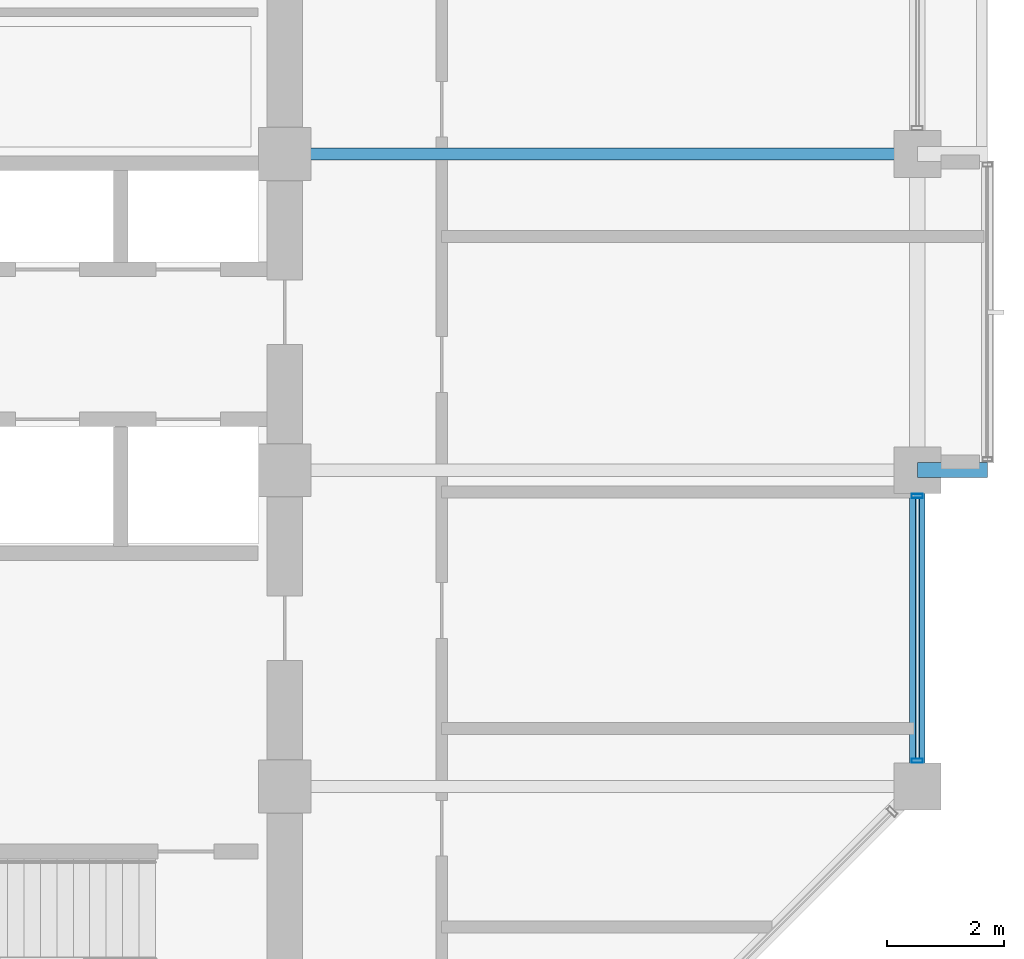
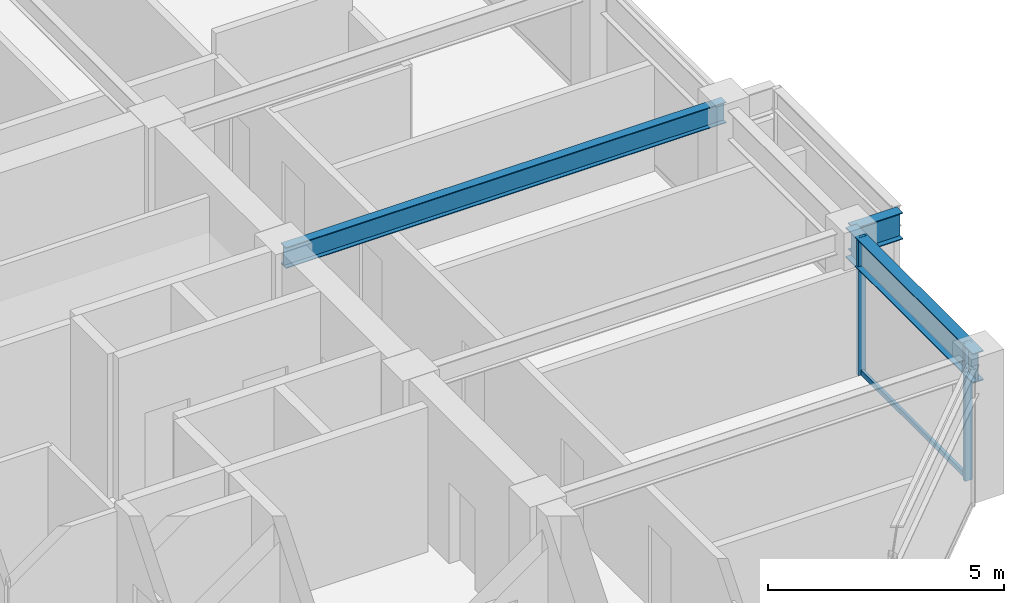
# One storey, part 11 of 28: 3 beams, 3 members, 1 element without a shape of its own.
"""IFC4 building model written with IfcOpenShell, lengths in metres."""

from ifc_helpers import new_model, si_unit, direction, frame, origin, origin_2d, place, context, subcontext, project, spatial, hollow_rectangle, i_section, extrude, material, layer, layer_set, material_profile, profile_set, type_object, element, aggregate, save


model = new_model("IFC4")

# Units and contexts
model_context = context("Model", 3, precision=1e-05, world=origin(), true_north=direction((0.0, 1.0)))
body_context = subcontext(model_context, "Body", "Model", "MODEL_VIEW")
ifc_project = project(units=[si_unit("LENGTHUNIT", "METRE"), si_unit("AREAUNIT", "SQUARE_METRE"), si_unit("VOLUMEUNIT", "CUBIC_METRE"), si_unit("PLANEANGLEUNIT", "RADIAN"), si_unit("MASSUNIT", "GRAM", prefix="KILO")], contexts=[model_context])

# Site, building, storey
site_placement = place(None, origin())
site = spatial("IfcSite", under=ifc_project, at=site_placement, CompositionType="ELEMENT")
building_placement = place(site_placement, origin())
building = spatial("IfcBuilding", under=site, at=building_placement, Name="Surkhivell Harbour Commons", CompositionType="ELEMENT")
storey_placement = place(building_placement, frame((0.0, 0.0, 238.5)))
storey = spatial("IfcBuildingStorey", under=building, at=storey_placement, Name="L62", CompositionType="ELEMENT", Elevation=238.5)

# Beams
ifc_material_1 = material(Name="Steel S460", Category="steel")
ifc_material_profile_1 = material_profile(ifc_material_1, i_section(OverallWidth=0.256103515625, OverallDepth=0.693115234375, WebThickness=0.014404296875, FlangeThickness=0.023681640625, at=origin_2d()), Name="UB686x254x170")
ifc_profile_set_1 = profile_set([ifc_material_profile_1], Name="Steel S460")
beam_type_1 = type_object("IfcBeamType", Name="BM-CNT-686", PredefinedType="BEAM", material=ifc_profile_set_1)
beam_1_placement = place(storey_placement, frame((21.60009765625, 0.0, 3.223388671875), z_axis=(1.0, 0.0, 0.0), x_axis=(0.0, 1.0, 0.0)))
element("IfcBeam", 1, at=beam_1_placement, inside=storey, type_object=beam_type_1, Name="L62 Box Cantilever Outrigger (21.6,0.0)", PredefinedType="BEAM", context=body_context, shape_type="SweptSolid", body=[
    extrude(i_section(OverallWidth=0.256103515625, OverallDepth=0.693115234375, WebThickness=0.014404296875, FlangeThickness=0.023681640625, at=origin_2d()), origin(), (0.0, 0.0, 1.0), 1.199951171875),
])
ifc_material_2 = material(Name="Steel S355", Category="steel")
ifc_material_profile_2 = material_profile(ifc_material_2, i_section(OverallWidth=0.2119140625, OverallDepth=0.5439453125, WebThickness=0.0126953125, FlangeThickness=0.021240234375, at=origin_2d()), Name="UB533x210x122")
ifc_profile_set_2 = profile_set([ifc_material_profile_2], Name="Steel S355")
beam_type_2 = type_object("IfcBeamType", Name="BM-GRD-533A", PredefinedType="BEAM", material=ifc_profile_set_2)
beam_2_placement = place(storey_placement, frame((10.800048828125, 5.39990234375, 3.298095703125), z_axis=(1.0, 0.0, 0.0), x_axis=(0.0, 1.0, 0.0)))
element("IfcBeam", 2, at=beam_2_placement, inside=storey, type_object=beam_type_2, Name="L62 Floor Girder (10.8,5.4)", PredefinedType="BEAM", context=body_context, shape_type="SweptSolid", body=[
    extrude(i_section(OverallWidth=0.2119140625, OverallDepth=0.5439453125, WebThickness=0.0126953125, FlangeThickness=0.021240234375, at=origin_2d()), origin(), (0.0, 0.0, 1.0), 10.800048828125),
])
ifc_material_profile_3 = material_profile(ifc_material_2, i_section(OverallWidth=0.26806640625, OverallDepth=0.77001953125, WebThickness=0.015625, FlangeThickness=0.025390625, at=origin_2d()), Name="UB762x267x197")
ifc_profile_set_3 = profile_set([ifc_material_profile_3], Name="Steel S355")
beam_type_3 = type_object("IfcBeamType", Name="BM-SPN-762", PredefinedType="SPANDREL", material=ifc_profile_set_3)
beam_3_placement = place(storey_placement, frame((21.60009765625, -5.39990234375, 3.18505859375), z_axis=(0.0, 1.0, 0.0), x_axis=(-1.0, 0.0, 0.0)))
element("IfcBeam", 3, at=beam_3_placement, inside=storey, type_object=beam_type_3, Name="L62 Tube Spandrel (21.6,-5.4)", PredefinedType="SPANDREL", context=body_context, shape_type="SweptSolid", body=[
    extrude(i_section(OverallWidth=0.26806640625, OverallDepth=0.77001953125, WebThickness=0.015625, FlangeThickness=0.025390625, at=origin_2d()), origin(), (0.0, 0.0, 1.0), 5.39990234375),
])

# Curtain wall, members
ifc_material_3 = material(Name="Anodised pale-metal aluminium and insulated glazing", Category="aluminium")
ifc_layer = layer(ifc_material_3, 0.18994140625)
ifc_layer_set = layer_set([ifc_layer], Name="Anodised pale-metal aluminium and insulated glazing")
curtain_wall_type = type_object("IfcCurtainWallType", Name="CW-SYS-Z3", PredefinedType="NOTDEFINED", material=ifc_layer_set)
curtain_wall_placement = place(storey_placement, origin())
curtain_wall = element("IfcCurtainWall", 4, at=curtain_wall_placement, inside=storey, type_object=curtain_wall_type, Name="L62 Curtain Wall CW-L62-E02R1", PredefinedType="NOTDEFINED")
ifc_material_4 = material(Name="Anodised pale-metal aluminium alloy 6063-T6", Category="aluminium")
ifc_material_profile_4 = material_profile(ifc_material_4, hollow_rectangle(XDim=0.074951171875, YDim=0.18994140625, WallThickness=0.00390625, at=origin_2d()), Name="ALU-MULL-75x190")
ifc_profile_set_4 = profile_set([ifc_material_profile_4], Name="Anodised pale-metal aluminium alloy 6063-T6")
member_type_1 = type_object("IfcMemberType", Name="CWM-190", PredefinedType="MULLION", material=ifc_profile_set_4)
member_1_placement = place(storey_placement, frame((21.60009765625, -4.96044921875, 0.0), z_axis=(0.0, 0.0, 1.0), x_axis=(0.0, 1.0, 0.0)))
member_1 = element("IfcMember", 5, at=member_1_placement, type_object=member_type_1, Name="CW-Z3 mullion 1", PredefinedType="MULLION", context=body_context, shape_type="SweptSolid", body=[
    extrude(hollow_rectangle(XDim=0.074951171875, YDim=0.18994140625, WallThickness=0.00390625, at=origin_2d()), origin(), (0.0, 0.0, 1.0), 3.570068359375),
])
member_2_placement = place(storey_placement, frame((21.60009765625, -0.439453125, 0.0), z_axis=(0.0, 0.0, 1.0), x_axis=(0.0, 1.0, 0.0)))
member_2 = element("IfcMember", 6, at=member_2_placement, type_object=member_type_1, Name="CW-Z3 mullion 2", PredefinedType="MULLION", context=body_context, shape_type="SweptSolid", body=[
    extrude(hollow_rectangle(XDim=0.074951171875, YDim=0.18994140625, WallThickness=0.00390625, at=origin_2d()), origin(), (0.0, 0.0, 1.0), 3.570068359375),
])
ifc_material_5 = material(Name="Champagne anodised aluminium alloy 6063-T6", Category="aluminium")
ifc_material_profile_5 = material_profile(ifc_material_5, hollow_rectangle(XDim=0.070068359375, YDim=0.1298828125, WallThickness=0.00341796875, at=origin_2d()), Name="ALU-TRAN-70x130")
ifc_profile_set_5 = profile_set([ifc_material_profile_5], Name="Champagne anodised aluminium alloy 6063-T6")
member_type_2 = type_object("IfcMemberType", Name="CWT-130", PredefinedType="USERDEFINED", material=ifc_profile_set_5)
member_3_placement = place(storey_placement, frame((21.60009765625, -4.923095703125, 0.06494140625), z_axis=(0.0, 1.0, 0.0), x_axis=(-1.0, 0.0, 0.0)))
member_3 = element("IfcMember", 7, at=member_3_placement, type_object=member_type_2, Name="CW-Z3 transom 1.1", ObjectType="TRANSOM", PredefinedType="USERDEFINED", context=body_context, shape_type="SweptSolid", body=[
    extrude(hollow_rectangle(XDim=0.070068359375, YDim=0.1298828125, WallThickness=0.00341796875, at=origin_2d()), origin(), (0.0, 0.0, 1.0), 4.446044921875),
])
aggregate(curtain_wall, [member_1, member_2, member_3])

save(model, "model.ifc")
